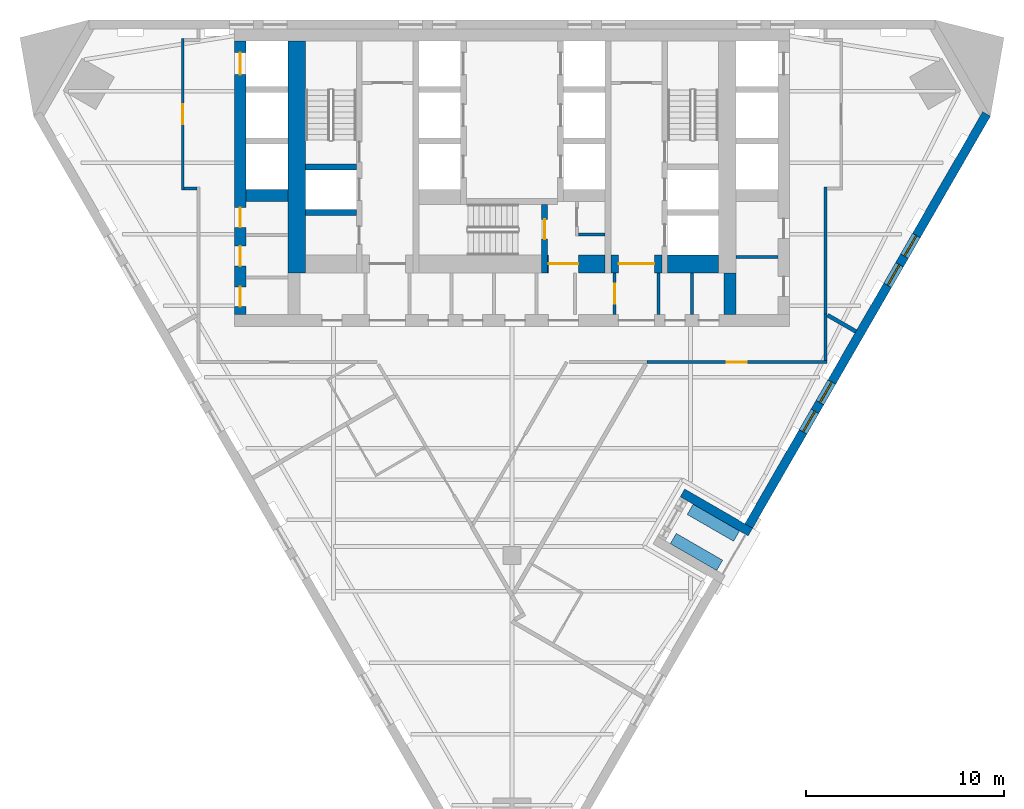
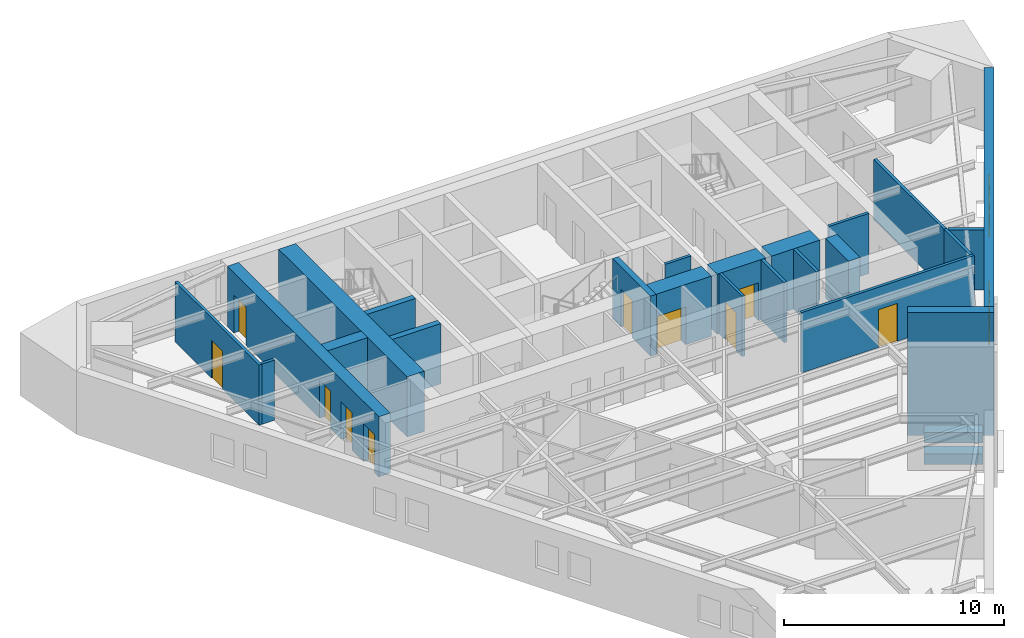
# One storey, part 4 of 7: 25 walls, 10 doors, 4 windows, 14 openings.
"""IFC4 building model written with IfcOpenShell, lengths in metres."""

import ifcopenshell
import ifcopenshell.guid

model = None  # the IFC model being written
_history = None  # IfcOwnerHistory: only IFC2X3 demands one
_inside = {}  # id of a spatial element -> (the spatial element, [elements in it])
_under = {}  # id of a project, library or spatial element -> (it, [spatial elements below it])
_declared = {}  # id of a project -> (the project, [libraries it declares])
_typed = {}  # id of a type object -> (the type object, [elements of that type])
_made_of = {}  # id of a material, layer set ... -> (it, [elements and type objects made of it])


def new_model(schema):
    """Start an empty IFC model of exactly this schema.

    Asked for "IFC4X3", IfcOpenShell would pick the latest addendum, in which some entities
    have other attributes; the version numbers below select the first issue.
    IFC2X3 requires an IfcOwnerHistory on every rooted entity: one is made here for all.
    """
    global model, _history
    if schema == "IFC4X3":
        model = ifcopenshell.file(schema_version=(4, 3, 0, 0))
    else:
        model = ifcopenshell.file(schema=schema)
    _inside.clear()
    _under.clear()
    _declared.clear()
    _typed.clear()
    _made_of.clear()
    _history = None
    if model.schema == "IFC2X3":
        org = make("IfcOrganization", Name="unknown")
        user = make(
            "IfcPersonAndOrganization",
            ThePerson=make("IfcPerson", FamilyName="unknown"),
            TheOrganization=org,
        )
        app = make(
            "IfcApplication",
            ApplicationDeveloper=org,
            Version="unknown",
            ApplicationFullName="unknown",
            ApplicationIdentifier="unknown",
        )
        _history = make(
            "IfcOwnerHistory",
            OwningUser=user,
            OwningApplication=app,
            ChangeAction="ADDED",
            CreationDate=0,
        )
    return model


def make(cls, **values):
    """One entity of the class cls with the attributes given. An attribute that is None is left unset."""
    return model.create_entity(
        cls, **{name: value for name, value in values.items() if value is not None}
    )


def rooted(cls, **values):
    """An entity with a GlobalId (a new one), such as an element, a storey or a relation."""
    return make(cls, GlobalId=ifcopenshell.guid.new(), OwnerHistory=_history, **values)


def si_unit(unit_type, name, prefix=None):
    """IfcSIUnit, for example si_unit("LENGTHUNIT", "METRE", prefix="MILLI")."""
    return make("IfcSIUnit", UnitType=unit_type, Prefix=prefix, Name=name)


def assignment(units):
    """IfcUnitAssignment: the units of a project."""
    return None if units is None else make("IfcUnitAssignment", Units=units)


def point(xyz):
    """IfcCartesianPoint."""
    return None if xyz is None else make("IfcCartesianPoint", Coordinates=xyz)


def direction(xyz):
    """IfcDirection."""
    return None if xyz is None else make("IfcDirection", DirectionRatios=xyz)


def frame(location, z_axis=None, x_axis=None):
    """IfcAxis2Placement3D, a coordinate frame: its origin and axes. An axis left out is left unset."""
    return make(
        "IfcAxis2Placement3D",
        Location=point(location),
        Axis=direction(z_axis),
        RefDirection=direction(x_axis),
    )


def frame_2d(location, x_axis=None):
    """IfcAxis2Placement2D, a coordinate frame in the plane: its origin and x axis."""
    return make(
        "IfcAxis2Placement2D", Location=point(location), RefDirection=direction(x_axis)
    )


def origin():
    """The frame at (0, 0, 0) with its axes left unset."""
    return frame((0.0, 0.0, 0.0))


def place(relative_to, where):
    """IfcLocalPlacement: puts the frame where relative to a parent placement (None: the world)."""
    return make(
        "IfcLocalPlacement", PlacementRelTo=relative_to, RelativePlacement=where
    )


def context(
    kind, dimensions, precision=None, world=None, true_north=None, identifier=None
):
    """IfcGeometricRepresentationContext, for example the 3D "Model" context."""
    return make(
        "IfcGeometricRepresentationContext",
        ContextIdentifier=identifier,
        ContextType=kind,
        CoordinateSpaceDimension=dimensions,
        Precision=precision,
        WorldCoordinateSystem=world,
        TrueNorth=true_north,
    )


def subcontext(parent, identifier, kind, view, scale=None):
    """IfcGeometricRepresentationSubContext, for example "Body" below "Model"."""
    return make(
        "IfcGeometricRepresentationSubContext",
        ContextIdentifier=identifier,
        ContextType=kind,
        ParentContext=parent,
        TargetScale=scale,
        TargetView=view,
    )


def project(units=None, contexts=None):
    """IfcProject with its units and contexts."""
    return rooted(
        "IfcProject",
        Name="project",
        RepresentationContexts=contexts,
        UnitsInContext=assignment(units),
    )


def spatial(cls, under=None, at=None, **own):
    """A site, building, storey or space (cls), placed at a placement, below another one or the project."""
    s = rooted(cls, ObjectPlacement=at, **own)
    if under is not None:
        _under.setdefault(under.id(), (under, []))[1].append(s)
    return s


def polyline(points):
    """IfcPolyline through the points."""
    return make("IfcPolyline", Points=[point(p) for p in points])


def profile(cls, at=None, kind="AREA", **sizes):
    """A parametric profile (cls). Its sizes go by their IFC names, for example OverallWidth=200.0."""
    return make(cls, ProfileType=kind, Position=at, **sizes)


def rectangle(**sizes):
    """IfcRectangleProfileDef."""
    return profile("IfcRectangleProfileDef", **sizes)


def outline(outer, holes=None, kind="AREA"):
    """IfcArbitraryClosedProfileDef: a profile drawn as a closed curve; with holes, ...WithVoids."""
    if holes is None:
        return make("IfcArbitraryClosedProfileDef", ProfileType=kind, OuterCurve=outer)
    return make(
        "IfcArbitraryProfileDefWithVoids",
        ProfileType=kind,
        OuterCurve=outer,
        InnerCurves=holes,
    )


def extrude(swept, where, along, depth):
    """IfcExtrudedAreaSolid: the profile swept, set in the frame where, extruded along a direction by depth."""
    return make(
        "IfcExtrudedAreaSolid",
        SweptArea=swept,
        Position=where,
        ExtrudedDirection=direction(along),
        Depth=depth,
    )


def shape(context_of_items, identifier, shape_type, items):
    """IfcShapeRepresentation: the items that make up one representation, for example the "Body"."""
    return make(
        "IfcShapeRepresentation",
        ContextOfItems=context_of_items,
        RepresentationIdentifier=identifier,
        RepresentationType=shape_type,
        Items=items,
    )


def material(Name=None, Category=None):
    """IfcMaterial."""
    return make("IfcMaterial", Name=Name, Category=Category)


def layer(
    of_material, thickness, ventilated=None, Name=None, Category=None, Priority=None
):
    """IfcMaterialLayer: one layer of a wall or slab, of a material (None: an air gap)."""
    return make(
        "IfcMaterialLayer",
        Material=of_material,
        LayerThickness=thickness,
        IsVentilated=ventilated,
        Name=Name,
        Category=Category,
        Priority=Priority,
    )


def layer_set(layers, Name=None):
    """IfcMaterialLayerSet."""
    return make("IfcMaterialLayerSet", MaterialLayers=layers, LayerSetName=Name)


def made_of(thing, what):
    """Note that an element or type object is made of a material, layer set ...; save() writes the relation."""
    if what is not None:
        _made_of.setdefault(what.id(), (what, []))[1].append(thing)
    return thing


def type_object(cls, material=None, **own):
    """A type object (cls), such as IfcWallType, which elements share."""
    return made_of(rooted(cls, **own), material)


def element(
    cls,
    number,
    at=None,
    inside=None,
    cuts=None,
    type_object=None,
    material=None,
    context=None,
    identifier="Body",
    shape_type=None,
    held_by="IfcProductDefinitionShape",
    body=None,
    shapes=None,
    **own,
):
    """One element of the class cls, such as IfcWall. Its Tag is "e" and its number.

    at: its placement. inside: the storey or other place that contains it. cuts: it is an
    opening in that element (IfcRelVoidsElement). A single representation is given by context,
    identifier, shape_type and body (its items); several are given by shapes. held_by: the class
    of the entity that holds the representations. save() writes the other relations.
    """
    e = rooted(cls, Tag="e%d" % number, ObjectPlacement=at, **own)
    if body is not None:
        shapes = [shape(context, identifier, shape_type, body)]
    if shapes is not None:
        e.Representation = make(held_by, Representations=shapes)
    if inside is not None:
        _inside.setdefault(inside.id(), (inside, []))[1].append(e)
    if cuts is not None:
        rooted(
            "IfcRelVoidsElement", RelatingBuildingElement=cuts, RelatedOpeningElement=e
        )
    if type_object is not None:
        _typed.setdefault(type_object.id(), (type_object, []))[1].append(e)
    return made_of(e, material)


def fill(opening, filler):
    """IfcRelFillsElement: the door or window that sits in an opening."""
    return rooted(
        "IfcRelFillsElement",
        RelatingOpeningElement=opening,
        RelatedBuildingElement=filler,
    )


def aggregate(whole, parts):
    """IfcRelAggregates: a whole, such as a stair, and the parts it consists of."""
    return rooted("IfcRelAggregates", RelatingObject=whole, RelatedObjects=parts)


def save(model, path):
    """Write the relations noted so far, then the file.

    IfcRelAggregates (storeys below a building ...), IfcRelContainedInSpatialStructure (elements
    in a storey), IfcRelDefinesByType, IfcRelAssociatesMaterial and IfcRelDeclares: one each for
    every whole, place, type object, material and project.
    """
    for whole, parts in _under.values():
        aggregate(whole, parts)
    for where, things in _inside.values():
        rooted(
            "IfcRelContainedInSpatialStructure",
            RelatedElements=things,
            RelatingStructure=where,
        )
    for kind, things in _typed.values():
        rooted("IfcRelDefinesByType", RelatedObjects=things, RelatingType=kind)
    for what, things in _made_of.values():
        rooted("IfcRelAssociatesMaterial", RelatedObjects=things, RelatingMaterial=what)
    for by, libraries in _declared.values():
        rooted("IfcRelDeclares", RelatingContext=by, RelatedDefinitions=libraries)
    model.write(path)


model = new_model("IFC4")

# Units and contexts
model_context = context("Model", 3, precision=1e-05, world=origin(), true_north=direction((0.0, 1.0)))
body_context = subcontext(model_context, "Body", "Model", "MODEL_VIEW")
ifc_project = project(units=[si_unit("LENGTHUNIT", "METRE"), si_unit("AREAUNIT", "SQUARE_METRE"), si_unit("VOLUMEUNIT", "CUBIC_METRE"), si_unit("PLANEANGLEUNIT", "RADIAN"), si_unit("MASSUNIT", "GRAM", prefix="KILO")], contexts=[model_context])

# Site, building, storey
site_placement = place(None, origin())
site = spatial("IfcSite", under=ifc_project, at=site_placement, CompositionType="ELEMENT")
building_placement = place(site_placement, origin())
building = spatial("IfcBuilding", under=site, at=building_placement, Name="Aloe Facet Convention Tower", CompositionType="ELEMENT")
storey_placement = place(building_placement, frame((0.0, 0.0, 113.300048828125)))
storey = spatial("IfcBuildingStorey", under=building, at=storey_placement, Name="L28", CompositionType="ELEMENT", Elevation=113.300048828125)

# Wall
ifc_material_1 = material(Name="Concrete blockwork partition", Category="masonry")
ifc_layer_1 = layer(ifc_material_1, 0.14990234375)
ifc_layer_set_1 = layer_set([ifc_layer_1], Name="CR-W-PART150")
wall_type_1 = type_object("IfcWallType", Name="CR-W-PART150", PredefinedType="PARTITIONING", material=ifc_layer_set_1)
wall_1_placement = place(storey_placement, frame((83.35009765625, 124.175048828125, 0.0), z_axis=(0.0, 0.0, 1.0), x_axis=(1.0, 0.0, 0.0)))
element("IfcWall", 1, at=wall_1_placement, inside=storey, type_object=wall_type_1, Name="Core partition L28-037", PredefinedType="PARTITIONING", context=body_context, shape_type="SweptSolid", body=[
    extrude(rectangle(XDim=1.349853515625, YDim=0.14990234375, at=frame_2d((0.6748046875, 0.0))), origin(), (0.0, 0.0, 1.0), 3.349853515625),
])

# Wall, opening, door
wall_2_placement = place(storey_placement, frame((85.175048828125, 122.25, 0.0), z_axis=(0.0, 0.0, 1.0), x_axis=(0.0, -1.0, 0.0)))
wall_2 = element("IfcWall", 2, at=wall_2_placement, inside=storey, type_object=wall_type_1, Name="Core partition L28-041", PredefinedType="PARTITIONING", context=body_context, shape_type="SweptSolid", body=[
    extrude(rectangle(XDim=2.10009765625, YDim=0.14990234375, at=frame_2d((1.050048828125, 0.0))), origin(), (0.0, 0.0, 1.0), 3.349853515625),
])
opening_1_placement = place(wall_2_placement, frame((0.550048828125, 0.0, 0.0)))
opening_1 = element("IfcOpeningElement", 3, at=opening_1_placement, cuts=wall_2, Name="Opening L28-CD27", PredefinedType="OPENING", context=body_context, shape_type="SweptSolid", body=[
    extrude(rectangle(XDim=1.0, YDim=2.10009765625, at=frame_2d((0.5, 1.050048828125))), frame((0.0, 0.0849609375, 0.0), z_axis=(0.0, -1.0, 0.0), x_axis=(1.0, 0.0, 0.0)), (0.0, 0.0, 1.0), 0.169921875),
])
ifc_material_2 = material(Name="Steel fire-resisting door set FD60", Category="steel")
door_type_1 = type_object("IfcDoorType", Name="CR-D-ROOM-1000-FD60-SRIGHT", OperationType="SINGLE_SWING_RIGHT", PredefinedType="DOOR", material=ifc_material_2)
door_1_placement = place(opening_1_placement, origin())
door_1 = element("IfcDoor", 4, at=door_1_placement, inside=storey, type_object=door_type_1, Name="Core door L28-CD27", OperationType="SINGLE_SWING_RIGHT", OverallHeight=2.10009765625, OverallWidth=1.0, PredefinedType="DOOR", context=body_context, shape_type="SweptSolid", body=[
    extrude(rectangle(XDim=1.0, YDim=2.10009765625, at=frame_2d((0.5, 1.050048828125))), frame((0.0, 0.02490234375, 0.0), z_axis=(0.0, -1.0, 0.0), x_axis=(1.0, 0.0, 0.0)), (0.0, 0.0, 1.0), 0.050048828125),
])
fill(opening_1, door_1)

# Walls
for number, where, z_axis, x_axis, name in (
    (5, (87.375, 122.25, 0.0), (0.0, 0.0, 1.0), (0.0, -1.0, 0.0), "Core partition L28-042"),
    (6, (89.074951171875, 122.25, 0.0), (0.0, 0.0, 1.0), (0.0, -1.0, 0.0), "Core partition L28-047"),
):
    element("IfcWall", number, at=place(storey_placement, frame(where, z_axis=z_axis, x_axis=x_axis)), inside=storey, type_object=wall_type_1, Name=name, PredefinedType="PARTITIONING", context=body_context, shape_type="SweptSolid", body=[
        extrude(rectangle(XDim=2.10009765625, YDim=0.14990234375, at=frame_2d((1.050048828125, 0.0))), origin(), (0.0, 0.0, 1.0), 3.349853515625),
    ])
wall_3_placement = place(storey_placement, frame((91.300048828125, 123.048583984375, 0.0), z_axis=(0.0, 0.0, 1.0), x_axis=(1.0, 0.0, 0.0)))
element("IfcWall", 7, at=wall_3_placement, inside=storey, type_object=wall_type_1, Name="Core partition L28-053", PredefinedType="PARTITIONING", context=body_context, shape_type="SweptSolid", body=[
    extrude(rectangle(XDim=2.099853515625, YDim=0.14990234375, at=frame_2d((1.0498046875, 0.0))), origin(), (0.0, 0.0, 1.0), 3.349853515625),
])
ifc_material_3 = material(Name="Concrete C70/85", Category="concrete")
ifc_layer_2 = layer(ifc_material_3, 0.300048828125)
ifc_layer_set_2 = layer_set([ifc_layer_2], Name="CR-W-RC300-C7085")
wall_type_2 = type_object("IfcWallType", Name="CR-W-RC300-C7085", PredefinedType="SOLIDWALL", material=ifc_layer_set_2)
for number, where, z_axis, x_axis, name in (
    (8, (69.60009765625, 127.60009765625, 0.0), (0.0, 0.0, 1.0), (1.0, 0.0, 0.0), "Core wall L28-011"),
    (9, (69.60009765625, 125.300048828125, 0.0), (0.0, 0.0, 1.0), (1.0, 0.0, 0.0), "Core wall L28-012"),
):
    element("IfcWall", number, at=place(storey_placement, frame(where, z_axis=z_axis, x_axis=x_axis)), inside=storey, type_object=wall_type_2, Name=name, PredefinedType="SOLIDWALL", context=body_context, shape_type="SweptSolid", body=[
        extrude(rectangle(XDim=2.5498046875, YDim=0.300048828125, at=frame_2d((1.27490234375, 0.0))), origin(), (0.0, 0.0, 1.0), 3.349853515625),
    ])

# Wall, opening, door
wall_4_placement = place(storey_placement, frame((81.64990234375, 125.699951171875, 0.0), z_axis=(0.0, 0.0, 1.0), x_axis=(0.0, -1.0, 0.0)))
wall_4 = element("IfcWall", 10, at=wall_4_placement, inside=storey, type_object=wall_type_2, Name="Core wall L28-029", PredefinedType="SOLIDWALL", context=body_context, shape_type="SweptSolid", body=[
    extrude(rectangle(XDim=3.449951171875, YDim=0.300048828125, at=frame_2d((1.72509765625, 0.0))), origin(), (0.0, 0.0, 1.0), 3.349853515625),
])
opening_2_placement = place(wall_4_placement, frame((0.75, 0.0, 0.0)))
opening_2 = element("IfcOpeningElement", 11, at=opening_2_placement, cuts=wall_4, Name="Opening L28-CD32", PredefinedType="OPENING", context=body_context, shape_type="SweptSolid", body=[
    extrude(rectangle(XDim=1.0, YDim=2.10009765625, at=frame_2d((0.5, 1.050048828125))), frame((0.0, 0.16015625, 0.0), z_axis=(0.0, -1.0, 0.0), x_axis=(1.0, 0.0, 0.0)), (0.0, 0.0, 1.0), 0.320068359375),
])
ifc_material_4 = material(Name="Steel fire-resisting door set FD120", Category="steel")
door_type_2 = type_object("IfcDoorType", Name="CR-D-STAIR-1000-FD120-SLEFT", OperationType="SINGLE_SWING_LEFT", PredefinedType="DOOR", material=ifc_material_4)
door_2_placement = place(opening_2_placement, origin())
door_2 = element("IfcDoor", 12, at=door_2_placement, inside=storey, type_object=door_type_2, Name="Core door L28-CD32", OperationType="SINGLE_SWING_LEFT", OverallHeight=2.10009765625, OverallWidth=1.0, PredefinedType="DOOR", context=body_context, shape_type="SweptSolid", body=[
    extrude(rectangle(XDim=1.0, YDim=2.10009765625, at=frame_2d((0.5, 1.050048828125))), frame((0.0, 0.02490234375, 0.0), z_axis=(0.0, -1.0, 0.0), x_axis=(1.0, 0.0, 0.0)), (0.0, 0.0, 1.0), 0.050048828125),
])
fill(opening_2, door_2)

# Wall, openings, doors
ifc_material_5 = material(Name="Concrete C70/85", Category="concrete")
ifc_layer_3 = layer(ifc_material_5, 0.60009765625)
ifc_layer_set_3 = layer_set([ifc_layer_3], Name="CR-W-RC600-C7085")
wall_type_3 = type_object("IfcWallType", Name="CR-W-RC600-C7085", PredefinedType="SOLIDWALL", material=ifc_layer_set_3)
wall_5_placement = place(storey_placement, frame((66.300048828125, 133.949951171875, 0.0), z_axis=(0.0, 0.0, 1.0), x_axis=(0.0, -1.0, 0.0)))
wall_5 = element("IfcWall", 13, at=wall_5_placement, inside=storey, type_object=wall_type_3, Name="Core wall L28-002", PredefinedType="SOLIDWALL", context=body_context, shape_type="SweptSolid", body=[
    extrude(rectangle(XDim=13.800048828125, YDim=0.60009765625, at=frame_2d((6.89990234375, 0.0))), origin(), (0.0, 0.0, 1.0), 3.349853515625),
])
opening_3_placement = place(wall_5_placement, frame((0.60009765625, 0.0, 0.0)))
opening_3 = element("IfcOpeningElement", 14, at=opening_3_placement, cuts=wall_5, Name="Opening LD-A7-L28", PredefinedType="OPENING", context=body_context, shape_type="SweptSolid", body=[
    extrude(rectangle(XDim=1.10009765625, YDim=2.10009765625, at=frame_2d((0.550048828125, 1.050048828125))), frame((0.0, 0.31005859375, 0.0), z_axis=(0.0, -1.0, 0.0), x_axis=(1.0, 0.0, 0.0)), (0.0, 0.0, 1.0), 0.6201171875),
])
opening_4_placement = place(wall_5_placement, frame((8.4052734375, 0.0, 0.0)))
opening_4 = element("IfcOpeningElement", 15, at=opening_4_placement, cuts=wall_5, Name="Opening L28-CD34", PredefinedType="OPENING", context=body_context, shape_type="SweptSolid", body=[
    extrude(rectangle(XDim=1.0, YDim=2.10009765625, at=frame_2d((0.5, 1.050048828125))), frame((0.0, 0.31005859375, 0.0), z_axis=(0.0, -1.0, 0.0), x_axis=(1.0, 0.0, 0.0)), (0.0, 0.0, 1.0), 0.6201171875),
])
opening_5_placement = place(wall_5_placement, frame((10.355224609375, 0.0, 0.0)))
opening_5 = element("IfcOpeningElement", 16, at=opening_5_placement, cuts=wall_5, Name="Opening L28-CD35", PredefinedType="OPENING", context=body_context, shape_type="SweptSolid", body=[
    extrude(rectangle(XDim=1.0, YDim=2.10009765625, at=frame_2d((0.5, 1.050048828125))), frame((0.0, 0.31005859375, 0.0), z_axis=(0.0, -1.0, 0.0), x_axis=(1.0, 0.0, 0.0)), (0.0, 0.0, 1.0), 0.6201171875),
])
opening_6_placement = place(wall_5_placement, frame((12.39990234375, 0.0, 0.0)))
opening_6 = element("IfcOpeningElement", 17, at=opening_6_placement, cuts=wall_5, Name="Opening L28-CD36", PredefinedType="OPENING", context=body_context, shape_type="SweptSolid", body=[
    extrude(rectangle(XDim=1.0, YDim=2.10009765625, at=frame_2d((0.5, 1.050048828125))), frame((0.0, 0.31005859375, 0.0), z_axis=(0.0, -1.0, 0.0), x_axis=(1.0, 0.0, 0.0)), (0.0, 0.0, 1.0), 0.6201171875),
])
ifc_material_6 = material(Name="Steel fire-resisting door set FD60", Category="steel")
door_type_3 = type_object("IfcDoorType", Name="CR-D-ROOM-1000-FD60-SLEFT", OperationType="SINGLE_SWING_LEFT", PredefinedType="DOOR", material=ifc_material_6)
door_3_placement = place(opening_4_placement, origin())
door_3 = element("IfcDoor", 18, at=door_3_placement, inside=storey, type_object=door_type_3, Name="Core door L28-CD34", OperationType="SINGLE_SWING_LEFT", OverallHeight=2.10009765625, OverallWidth=1.0, PredefinedType="DOOR", context=body_context, shape_type="SweptSolid", body=[
    extrude(rectangle(XDim=1.0, YDim=2.10009765625, at=frame_2d((0.5, 1.050048828125))), frame((0.0, 0.02490234375, 0.0), z_axis=(0.0, -1.0, 0.0), x_axis=(1.0, 0.0, 0.0)), (0.0, 0.0, 1.0), 0.050048828125),
])
fill(opening_4, door_3)
door_4_placement = place(opening_5_placement, origin())
door_4 = element("IfcDoor", 19, at=door_4_placement, inside=storey, type_object=door_type_3, Name="Core door L28-CD35", OperationType="SINGLE_SWING_LEFT", OverallHeight=2.10009765625, OverallWidth=1.0, PredefinedType="DOOR", context=body_context, shape_type="SweptSolid", body=[
    extrude(rectangle(XDim=1.0, YDim=2.10009765625, at=frame_2d((0.5, 1.050048828125))), frame((0.0, 0.02490234375, 0.0), z_axis=(0.0, -1.0, 0.0), x_axis=(1.0, 0.0, 0.0)), (0.0, 0.0, 1.0), 0.050048828125),
])
fill(opening_5, door_4)
door_5_placement = place(opening_6_placement, origin())
door_5 = element("IfcDoor", 20, at=door_5_placement, inside=storey, type_object=door_type_3, Name="Core door L28-CD36", OperationType="SINGLE_SWING_LEFT", OverallHeight=2.10009765625, OverallWidth=1.0, PredefinedType="DOOR", context=body_context, shape_type="SweptSolid", body=[
    extrude(rectangle(XDim=1.0, YDim=2.10009765625, at=frame_2d((0.5, 1.050048828125))), frame((0.0, 0.02490234375, 0.0), z_axis=(0.0, -1.0, 0.0), x_axis=(1.0, 0.0, 0.0)), (0.0, 0.0, 1.0), 0.050048828125),
])
fill(opening_6, door_5)
ifc_material_7 = material(Name="Stainless steel sliding landing door", Category="steel")
door_type_4 = type_object("IfcDoorType", Name="CR-LD-1100-FD60-_LEFT", OperationType="SLIDING_TO_LEFT", PredefinedType="DOOR", material=ifc_material_7)
door_6_placement = place(opening_3_placement, origin())
door_6 = element("IfcDoor", 21, at=door_6_placement, inside=storey, type_object=door_type_4, Name="Landing door A7 L28", OperationType="SLIDING_TO_LEFT", OverallHeight=2.10009765625, OverallWidth=1.10009765625, PredefinedType="DOOR", context=body_context, shape_type="SweptSolid", body=[
    extrude(rectangle(XDim=1.10009765625, YDim=2.10009765625, at=frame_2d((0.550048828125, 1.050048828125))), frame((0.0, 0.02490234375, 0.0), z_axis=(0.0, -1.0, 0.0), x_axis=(1.0, 0.0, 0.0)), (0.0, 0.0, 1.0), 0.050048828125),
])
fill(opening_3, door_6)

# Walls
wall_6_placement = place(storey_placement, frame((66.60009765625, 126.14990234375, 0.0), z_axis=(0.0, 0.0, 1.0), x_axis=(1.0, 0.0, 0.0)))
element("IfcWall", 22, at=wall_6_placement, inside=storey, type_object=wall_type_3, Name="Core wall L28-006", PredefinedType="SOLIDWALL", context=body_context, shape_type="SweptSolid", body=[
    extrude(rectangle(XDim=2.099853515625, YDim=0.60009765625, at=frame_2d((1.0498046875, 0.0))), origin(), (0.0, 0.0, 1.0), 3.349853515625),
])
wall_7_placement = place(storey_placement, frame((91.0, 122.25, 0.0), z_axis=(0.0, 0.0, 1.0), x_axis=(0.0, -1.0, 0.0)))
element("IfcWall", 23, at=wall_7_placement, inside=storey, type_object=wall_type_3, Name="Core wall L28-049", PredefinedType="SOLIDWALL", context=body_context, shape_type="SweptSolid", body=[
    extrude(rectangle(XDim=2.10009765625, YDim=0.60009765625, at=frame_2d((1.050048828125, 0.0))), origin(), (0.0, 0.0, 1.0), 3.349853515625),
])
ifc_material_8 = material(Name="Concrete C70/85", Category="concrete")
ifc_layer_4 = layer(ifc_material_8, 0.89990234375)
ifc_layer_set_4 = layer_set([ifc_layer_4], Name="CR-W-RC900-C7085")
wall_type_4 = type_object("IfcWallType", Name="CR-W-RC900-C7085", PredefinedType="SOLIDWALL", material=ifc_layer_set_4)
wall_8_placement = place(storey_placement, frame((69.14990234375, 133.949951171875, 0.0), z_axis=(0.0, 0.0, 1.0), x_axis=(0.0, -1.0, 0.0)))
element("IfcWall", 24, at=wall_8_placement, inside=storey, type_object=wall_type_4, Name="Core wall L28-009", PredefinedType="SOLIDWALL", context=body_context, shape_type="SweptSolid", body=[
    extrude(rectangle(XDim=11.699951171875, YDim=0.89990234375, at=frame_2d((5.85009765625, 0.0))), origin(), (0.0, 0.0, 1.0), 3.349853515625),
])

# Wall, opening, door
wall_9_placement = place(storey_placement, frame((81.800048828125, 122.699951171875, 0.0), z_axis=(0.0, 0.0, 1.0), x_axis=(1.0, 0.0, 0.0)))
wall_9 = element("IfcWall", 25, at=wall_9_placement, inside=storey, type_object=wall_type_4, Name="Core wall L28-030", PredefinedType="SOLIDWALL", context=body_context, shape_type="SweptSolid", body=[
    extrude(rectangle(XDim=2.89990234375, YDim=0.89990234375, at=frame_2d((1.449951171875, 0.0))), origin(), (0.0, 0.0, 1.0), 3.349853515625),
])
opening_7_placement = place(wall_9_placement, frame((0.050048828125, 0.0, 0.0)))
opening_7 = element("IfcOpeningElement", 26, at=opening_7_placement, cuts=wall_9, Name="Opening L28-CD15", PredefinedType="OPENING", context=body_context, shape_type="SweptSolid", body=[
    extrude(rectangle(XDim=1.5, YDim=2.10009765625, at=frame_2d((0.75, 1.050048828125))), frame((0.0, 0.4599609375, 0.0), z_axis=(0.0, -1.0, 0.0), x_axis=(1.0, 0.0, 0.0)), (0.0, 0.0, 1.0), 0.919921875),
])
ifc_material_9 = material(Name="Steel fire-resisting door set FD60", Category="steel")
door_type_5 = type_object("IfcDoorType", Name="CR-D-EXIT-1500-FD60-DD", OperationType="DOUBLE_DOOR_DOUBLE_SWING", PredefinedType="DOOR", material=ifc_material_9)
door_7_placement = place(opening_7_placement, origin())
door_7 = element("IfcDoor", 27, at=door_7_placement, inside=storey, type_object=door_type_5, Name="Core door L28-CD15", OperationType="DOUBLE_DOOR_DOUBLE_SWING", OverallHeight=2.10009765625, OverallWidth=1.5, PredefinedType="DOOR", context=body_context, shape_type="SweptSolid", body=[
    extrude(rectangle(XDim=1.5, YDim=2.10009765625, at=frame_2d((0.75, 1.050048828125))), frame((0.0, 0.02490234375, 0.0), z_axis=(0.0, -1.0, 0.0), x_axis=(1.0, 0.0, 0.0)), (0.0, 0.0, 1.0), 0.050048828125),
])
fill(opening_7, door_7)

wall_10_placement = place(storey_placement, frame((85.0, 122.699951171875, 0.0), z_axis=(0.0, 0.0, 1.0), x_axis=(1.0, 0.0, 0.0)))
wall_10 = element("IfcWall", 28, at=wall_10_placement, inside=storey, type_object=wall_type_4, Name="Core wall L28-040", PredefinedType="SOLIDWALL", context=body_context, shape_type="SweptSolid", body=[
    extrude(rectangle(XDim=2.550048828125, YDim=0.89990234375, at=frame_2d((1.27490234375, 0.0))), origin(), (0.0, 0.0, 1.0), 3.349853515625),
])
opening_8_placement = place(wall_10_placement, frame((0.375, 0.0, 0.0)))
opening_8 = element("IfcOpeningElement", 29, at=opening_8_placement, cuts=wall_10, Name="Opening L28-CD13", PredefinedType="OPENING", context=body_context, shape_type="SweptSolid", body=[
    extrude(rectangle(XDim=1.800048828125, YDim=2.10009765625, at=frame_2d((0.89990234375, 1.050048828125))), frame((0.0, 0.4599609375, 0.0), z_axis=(0.0, -1.0, 0.0), x_axis=(1.0, 0.0, 0.0)), (0.0, 0.0, 1.0), 0.919921875),
])
ifc_material_10 = material(Name="Steel fire-resisting door set FD120", Category="steel")
door_type_6 = type_object("IfcDoorType", Name="CR-D-EXIT-1800-FD120-DD", OperationType="DOUBLE_DOOR_DOUBLE_SWING", PredefinedType="DOOR", material=ifc_material_10)
door_8_placement = place(opening_8_placement, origin())
door_8 = element("IfcDoor", 30, at=door_8_placement, inside=storey, type_object=door_type_6, Name="Core door L28-CD13", OperationType="DOUBLE_DOOR_DOUBLE_SWING", OverallHeight=2.10009765625, OverallWidth=1.800048828125, PredefinedType="DOOR", context=body_context, shape_type="SweptSolid", body=[
    extrude(rectangle(XDim=1.800048828125, YDim=2.10009765625, at=frame_2d((0.89990234375, 1.050048828125))), frame((0.0, 0.02490234375, 0.0), z_axis=(0.0, -1.0, 0.0), x_axis=(1.0, 0.0, 0.0)), (0.0, 0.0, 1.0), 0.050048828125),
])
fill(opening_8, door_8)

# Walls
wall_11_placement = place(storey_placement, frame((87.85009765625, 122.699951171875, 0.0), z_axis=(0.0, 0.0, 1.0), x_axis=(1.0, 0.0, 0.0)))
element("IfcWall", 31, at=wall_11_placement, inside=storey, type_object=wall_type_4, Name="Core wall L28-046", PredefinedType="SOLIDWALL", context=body_context, shape_type="SweptSolid", body=[
    extrude(rectangle(XDim=2.5498046875, YDim=0.89990234375, at=frame_2d((1.27490234375, 0.0))), origin(), (0.0, 0.0, 1.0), 3.349853515625),
])
ifc_material_11 = material(Name="Precast concrete C40/50", Category="concrete")
ifc_layer_5 = layer(ifc_material_11, 0.60009765625)
ifc_layer_set_5 = layer_set([ifc_layer_5], Name="EV-PLANTER")
wall_type_5 = type_object("IfcWallType", Name="EV-PLANTER", PredefinedType="STANDARD", material=ifc_layer_set_5)
wall_12_placement = place(storey_placement, frame((90.470703125, 107.506103515625, 0.0), z_axis=(0.0, 0.0, 1.0), x_axis=(-0.866019956843, 0.50000943426, 0.0)))
element("IfcWall", 32, at=wall_12_placement, inside=storey, type_object=wall_type_5, Name="PLANTER T06-1", PredefinedType="STANDARD", context=body_context, shape_type="SweptSolid", body=[
    extrude(rectangle(XDim=2.7001953125, YDim=0.60009765625, at=frame_2d((1.35009765625, 0.0))), origin(), (0.0, 0.0, 1.0), 0.599853515625),
])
wall_13_placement = place(storey_placement, frame((91.320556640625, 108.978271484375, 0.0), z_axis=(0.0, 0.0, 1.0), x_axis=(-0.86599734893, 0.500048589285, 0.0)))
element("IfcWall", 33, at=wall_13_placement, inside=storey, type_object=wall_type_5, Name="PLANTER T06-2", PredefinedType="STANDARD", context=body_context, shape_type="SweptSolid", body=[
    extrude(rectangle(XDim=2.699951171875, YDim=0.60009765625, at=frame_2d((1.35009765625, 0.0))), origin(), (0.0, 0.0, 1.0), 0.599853515625),
])

# Wall, openings, windows
ifc_material_12 = material(Name="Precast concrete C40/50", Category="concrete")
ifc_layer_6 = layer(ifc_material_12, 0.449951171875)
ifc_layer_set_6 = layer_set([ifc_layer_6], Name="EV-WALL-STONE")
wall_type_6 = type_object("IfcWallType", Name="EV-WALL-STONE", PredefinedType="SOLIDWALL", material=ifc_layer_set_6)
wall_14_placement = place(storey_placement, frame((91.933837890625, 109.490478515625, -0.150146484375), z_axis=(0.0, 0.0, 1.0), x_axis=(0.500002343971, 0.866024050488, 0.0)))
wall_14 = element("IfcWall", 34, at=wall_14_placement, inside=storey, type_object=wall_type_6, Name="EW-L28-E02", PredefinedType="SOLIDWALL", context=body_context, shape_type="SweptSolid", body=[
    extrude(outline(polyline([(23.98583984375, 3.5), (23.98583984375, 0.0), (0.0, 0.0), (0.0, 3.5), (23.98583984375, 3.5)])), frame((0.0, 0.22509765625, 0.0), z_axis=(0.0, -1.0, 0.0), x_axis=(1.0, 0.0, 0.0)), (0.0, 0.0, 1.0), 0.449951171875),
])
opening_9_placement = place(wall_14_placement, frame((5.478515625, 0.0, 1.050048828125)))
opening_9 = element("IfcOpeningElement", 35, at=opening_9_placement, cuts=wall_14, Name="Opening W-L28-E03", PredefinedType="OPENING", context=body_context, shape_type="SweptSolid", body=[
    extrude(rectangle(XDim=1.199951171875, YDim=1.5, at=frame_2d((0.60009765625, 0.75))), frame((0.0, 0.23486328125, 0.0), z_axis=(0.0, -1.0, 0.0), x_axis=(1.0, 0.0, 0.0)), (0.0, 0.0, 1.0), 0.469970703125),
])
opening_10_placement = place(wall_14_placement, frame((7.1787109375, 0.0, 1.050048828125)))
opening_10 = element("IfcOpeningElement", 36, at=opening_10_placement, cuts=wall_14, Name="Opening W-L28-E04", PredefinedType="OPENING", context=body_context, shape_type="SweptSolid", body=[
    extrude(rectangle(XDim=1.199951171875, YDim=1.5, at=frame_2d((0.60009765625, 0.75))), frame((0.0, 0.23486328125, 0.0), z_axis=(0.0, -1.0, 0.0), x_axis=(1.0, 0.0, 0.0)), (0.0, 0.0, 1.0), 0.469970703125),
])
opening_11_placement = place(wall_14_placement, frame((14.00732421875, 0.0, 1.050048828125)))
opening_11 = element("IfcOpeningElement", 37, at=opening_11_placement, cuts=wall_14, Name="Opening W-L28-E05", PredefinedType="OPENING", context=body_context, shape_type="SweptSolid", body=[
    extrude(rectangle(XDim=1.199951171875, YDim=1.5, at=frame_2d((0.60009765625, 0.75))), frame((0.0, 0.23486328125, 0.0), z_axis=(0.0, -1.0, 0.0), x_axis=(1.0, 0.0, 0.0)), (0.0, 0.0, 1.0), 0.469970703125),
])
opening_12_placement = place(wall_14_placement, frame((15.707275390625, 0.0, 1.050048828125)))
opening_12 = element("IfcOpeningElement", 38, at=opening_12_placement, cuts=wall_14, Name="Opening W-L28-E06", PredefinedType="OPENING", context=body_context, shape_type="SweptSolid", body=[
    extrude(rectangle(XDim=1.199951171875, YDim=1.5, at=frame_2d((0.60009765625, 0.75))), frame((0.0, 0.23486328125, 0.0), z_axis=(0.0, -1.0, 0.0), x_axis=(1.0, 0.0, 0.0)), (0.0, 0.0, 1.0), 0.469970703125),
])
ifc_material_13 = material(Name="Aluminium frame, clear double glazing", Category="aluminium")
window_type = type_object("IfcWindowType", Name="EV-WIN-H12", PartitioningType="SINGLE_PANEL", PredefinedType="WINDOW", material=ifc_material_13)
window_1_placement = place(opening_9_placement, origin())
window_1 = element("IfcWindow", 39, at=window_1_placement, inside=storey, type_object=window_type, Name="W-L28-E03", OverallHeight=1.5, OverallWidth=1.199951171875, PartitioningType="SINGLE_PANEL", PredefinedType="WINDOW", context=body_context, shape_type="SweptSolid", body=[
    extrude(rectangle(XDim=1.199951171875, YDim=1.5, at=frame_2d((0.60009765625, 0.75))), frame((0.0, 0.030029296875, 0.0), z_axis=(0.0, -1.0, 0.0), x_axis=(1.0, 0.0, 0.0)), (0.0, 0.0, 1.0), 0.06005859375),
])
fill(opening_9, window_1)
window_2_placement = place(opening_10_placement, origin())
window_2 = element("IfcWindow", 40, at=window_2_placement, inside=storey, type_object=window_type, Name="W-L28-E04", OverallHeight=1.5, OverallWidth=1.199951171875, PartitioningType="SINGLE_PANEL", PredefinedType="WINDOW", context=body_context, shape_type="SweptSolid", body=[
    extrude(rectangle(XDim=1.199951171875, YDim=1.5, at=frame_2d((0.60009765625, 0.75))), frame((0.0, 0.030029296875, 0.0), z_axis=(0.0, -1.0, 0.0), x_axis=(1.0, 0.0, 0.0)), (0.0, 0.0, 1.0), 0.06005859375),
])
fill(opening_10, window_2)
window_3_placement = place(opening_11_placement, origin())
window_3 = element("IfcWindow", 41, at=window_3_placement, inside=storey, type_object=window_type, Name="W-L28-E05", OverallHeight=1.5, OverallWidth=1.199951171875, PartitioningType="SINGLE_PANEL", PredefinedType="WINDOW", context=body_context, shape_type="SweptSolid", body=[
    extrude(rectangle(XDim=1.199951171875, YDim=1.5, at=frame_2d((0.60009765625, 0.75))), frame((0.0, 0.030029296875, 0.0), z_axis=(0.0, -1.0, 0.0), x_axis=(1.0, 0.0, 0.0)), (0.0, 0.0, 1.0), 0.06005859375),
])
fill(opening_11, window_3)
window_4_placement = place(opening_12_placement, origin())
window_4 = element("IfcWindow", 42, at=window_4_placement, inside=storey, type_object=window_type, Name="W-L28-E06", OverallHeight=1.5, OverallWidth=1.199951171875, PartitioningType="SINGLE_PANEL", PredefinedType="WINDOW", context=body_context, shape_type="SweptSolid", body=[
    extrude(rectangle(XDim=1.199951171875, YDim=1.5, at=frame_2d((0.60009765625, 0.75))), frame((0.0, 0.030029296875, 0.0), z_axis=(0.0, -1.0, 0.0), x_axis=(1.0, 0.0, 0.0)), (0.0, 0.0, 1.0), 0.06005859375),
])
fill(opening_12, window_4)

# Wall
wall_15_placement = place(storey_placement, frame((92.01611328125, 109.18310546875, 0.0), z_axis=(0.0, 0.0, 1.0), x_axis=(-0.866047669374, 0.499961432884, 0.0)))
element("IfcWall", 43, at=wall_15_placement, inside=storey, type_object=wall_type_6, Name="TW-T06-2", PredefinedType="SOLIDWALL", context=body_context, shape_type="SweptSolid", body=[
    extrude(rectangle(XDim=3.949951171875, YDim=0.449951171875, at=frame_2d((1.97509765625, 0.0))), origin(), (0.0, 0.0, 1.0), 6.849853515625),
])

# Wall, opening, door
ifc_material_14 = material(Name="Gypsum board partition on steel studs", Category="steel")
ifc_layer_7 = layer(ifc_material_14, 0.14990234375)
ifc_layer_set_7 = layer_set([ifc_layer_7], Name="IN-W-CORR")
wall_type_7 = type_object("IfcWallType", Name="IN-W-CORR", PredefinedType="PARTITIONING", material=ifc_layer_set_7)
wall_16_placement = place(storey_placement, frame((86.80078125, 117.75, 0.0), z_axis=(0.0, 0.0, 1.0), x_axis=(1.0, 0.0, 0.0)))
wall_16 = element("IfcWall", 44, at=wall_16_placement, inside=storey, type_object=wall_type_7, Name="Partition L28-W028", PredefinedType="PARTITIONING", context=body_context, shape_type="SweptSolid", body=[
    extrude(rectangle(XDim=9.07421875, YDim=0.14990234375, at=frame_2d((4.537109375, 0.0))), origin(), (0.0, 0.0, 1.0), 3.349853515625),
])
opening_13_placement = place(wall_16_placement, frame((4.037109375, 0.0, 0.0)))
opening_13 = element("IfcOpeningElement", 45, at=opening_13_placement, cuts=wall_16, Name="Opening L28-003", PredefinedType="OPENING", context=body_context, shape_type="SweptSolid", body=[
    extrude(rectangle(XDim=1.0, YDim=2.10009765625, at=frame_2d((0.5, 1.050048828125))), frame((0.0, 0.0849609375, 0.0), z_axis=(0.0, -1.0, 0.0), x_axis=(1.0, 0.0, 0.0)), (0.0, 0.0, 1.0), 0.169921875),
])
ifc_material_15 = material(Name="Hardwood flush door FD30S", Category="wood")
door_type_7 = type_object("IfcDoorType", Name="IN-D-WIDE", OperationType="SINGLE_SWING_LEFT", PredefinedType="DOOR", material=ifc_material_15)
door_9_placement = place(opening_13_placement, origin())
door_9 = element("IfcDoor", 46, at=door_9_placement, inside=storey, type_object=door_type_7, Name="Door L28-003", OperationType="SINGLE_SWING_LEFT", OverallHeight=2.10009765625, OverallWidth=1.0, PredefinedType="DOOR", context=body_context, shape_type="SweptSolid", body=[
    extrude(rectangle(XDim=1.0, YDim=2.10009765625, at=frame_2d((0.5, 1.050048828125))), frame((0.0, 0.02490234375, 0.0), z_axis=(0.0, -1.0, 0.0), x_axis=(1.0, 0.0, 0.0)), (0.0, 0.0, 1.0), 0.050048828125),
])
fill(opening_13, door_9)

# Wall
wall_17_placement = place(storey_placement, frame((95.800048828125, 117.824951171875, 0.0), z_axis=(0.0, 0.0, 1.0), x_axis=(0.0, 1.0, 0.0)))
element("IfcWall", 47, at=wall_17_placement, inside=storey, type_object=wall_type_7, Name="Partition L28-W032", PredefinedType="PARTITIONING", context=body_context, shape_type="SweptSolid", body=[
    extrude(rectangle(XDim=2.357666015625, YDim=0.14990234375, at=frame_2d((1.1787109375, 0.0))), origin(), (0.0, 0.0, 1.0), 3.349853515625),
])

# Wall, opening, door
wall_18_placement = place(storey_placement, frame((63.39990234375, 126.425048828125, 0.0), z_axis=(0.0, 0.0, 1.0), x_axis=(0.0, 1.0, 0.0)))
wall_18 = element("IfcWall", 48, at=wall_18_placement, inside=storey, type_object=wall_type_7, Name="Partition L28-W033", PredefinedType="PARTITIONING", context=body_context, shape_type="SweptSolid", body=[
    extrude(rectangle(XDim=7.64990234375, YDim=0.14990234375, at=frame_2d((3.824951171875, 0.0))), origin(), (0.0, 0.0, 1.0), 3.349853515625),
])
opening_14_placement = place(wall_18_placement, frame((3.324951171875, 0.0, 0.0)))
opening_14 = element("IfcOpeningElement", 49, at=opening_14_placement, cuts=wall_18, Name="Opening L28-005", PredefinedType="OPENING", context=body_context, shape_type="SweptSolid", body=[
    extrude(rectangle(XDim=1.0, YDim=2.10009765625, at=frame_2d((0.5, 1.050048828125))), frame((0.0, 0.0849609375, 0.0), z_axis=(0.0, -1.0, 0.0), x_axis=(1.0, 0.0, 0.0)), (0.0, 0.0, 1.0), 0.169921875),
])
door_10_placement = place(opening_14_placement, origin())
door_10 = element("IfcDoor", 50, at=door_10_placement, inside=storey, type_object=door_type_7, Name="Door L28-005", OperationType="SINGLE_SWING_LEFT", OverallHeight=2.10009765625, OverallWidth=1.0, PredefinedType="DOOR", context=body_context, shape_type="SweptSolid", body=[
    extrude(rectangle(XDim=1.0, YDim=2.10009765625, at=frame_2d((0.5, 1.050048828125))), frame((0.0, 0.02490234375, 0.0), z_axis=(0.0, -1.0, 0.0), x_axis=(1.0, 0.0, 0.0)), (0.0, 0.0, 1.0), 0.050048828125),
])
fill(opening_14, door_10)

# Walls
wall_19_placement = place(storey_placement, frame((63.47509765625, 126.5, 0.0), z_axis=(0.0, 0.0, 1.0), x_axis=(1.0, 0.0, 0.0)))
element("IfcWall", 51, at=wall_19_placement, inside=storey, type_object=wall_type_7, Name="Partition L28-W034", PredefinedType="PARTITIONING", context=body_context, shape_type="SweptSolid", body=[
    extrude(rectangle(XDim=0.64990234375, YDim=0.14990234375, at=frame_2d((0.324951171875, 0.0))), origin(), (0.0, 0.0, 1.0), 3.349853515625),
])
wall_20_placement = place(storey_placement, frame((95.800048828125, 120.1826171875, 0.0), z_axis=(0.0, 0.0, 1.0), x_axis=(0.0, 1.0, 0.0)))
element("IfcWall", 52, at=wall_20_placement, inside=storey, type_object=wall_type_7, Name="Partition L28-W035", PredefinedType="PARTITIONING", context=body_context, shape_type="SweptSolid", body=[
    extrude(rectangle(XDim=6.392333984375, YDim=0.14990234375, at=frame_2d((3.1962890625, 0.0))), origin(), (0.0, 0.0, 1.0), 3.349853515625),
])
ifc_material_16 = material(Name="Gypsum board partition on steel studs", Category="steel")
ifc_layer_8 = layer(ifc_material_16, 0.199951171875)
ifc_layer_set_8 = layer_set([ifc_layer_8], Name="IN-W-PARTY")
wall_type_8 = type_object("IfcWallType", Name="IN-W-PARTY", PredefinedType="PARTITIONING", material=ifc_layer_set_8)
wall_21_placement = place(storey_placement, frame((95.908203125, 120.1201171875, 0.0), z_axis=(0.0, 0.0, 1.0), x_axis=(0.866101713734, -0.499867803992, 0.0)))
element("IfcWall", 53, at=wall_21_placement, inside=storey, type_object=wall_type_8, Name="Partition L28-W029", PredefinedType="PARTITIONING", context=body_context, shape_type="SweptSolid", body=[
    extrude(rectangle(XDim=1.64794921875, YDim=0.199951171875, at=frame_2d((0.823974609375, 0.0))), origin(), (0.0, 0.0, 1.0), 3.349853515625),
])

save(model, "model.ifc")
